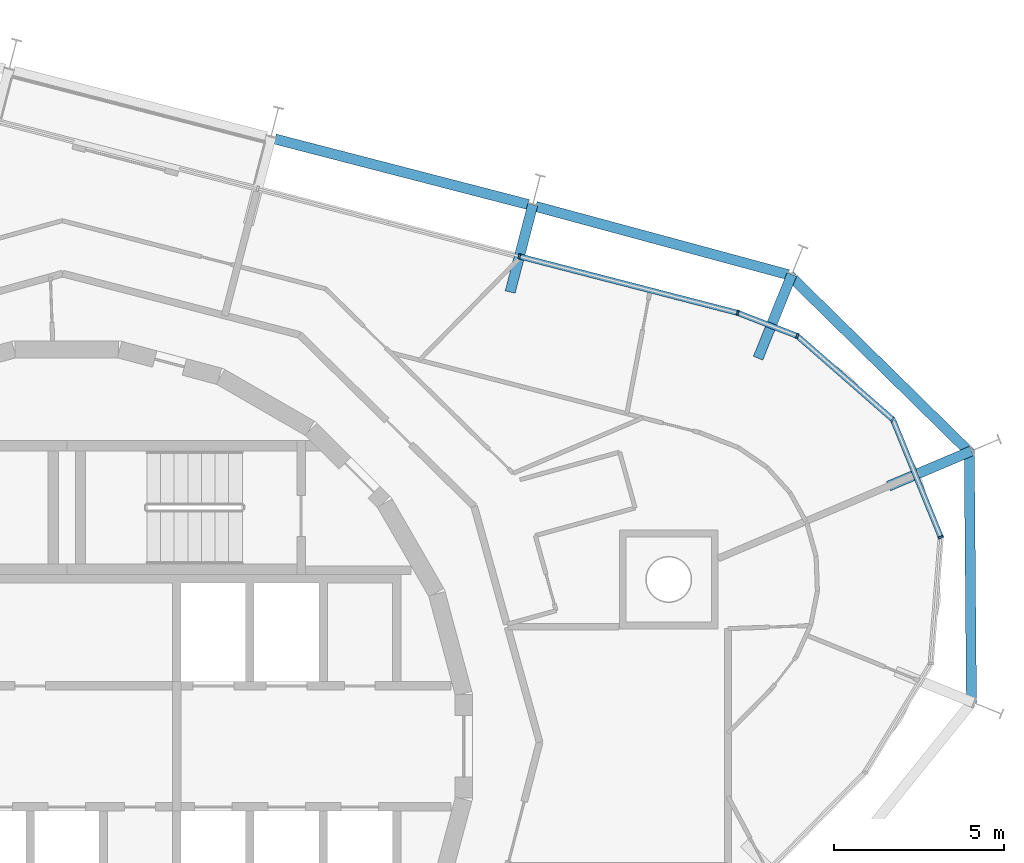
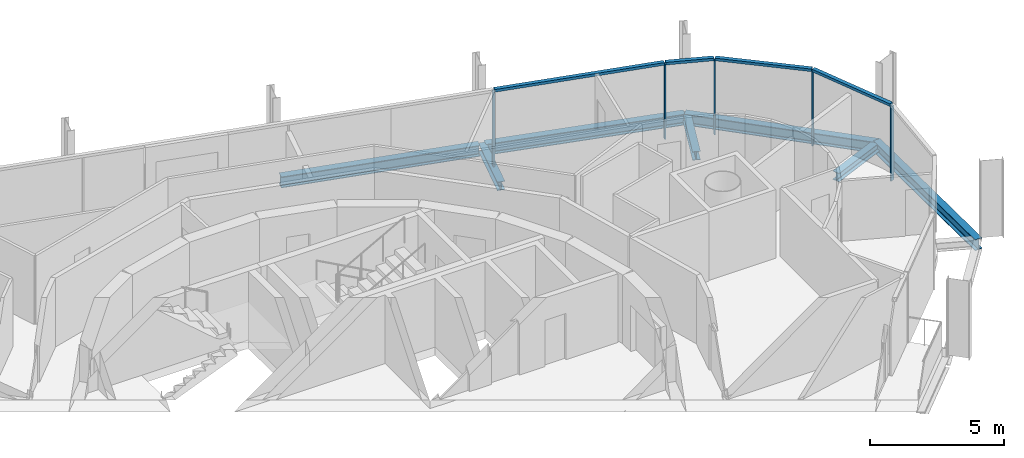
# One storey, part 7 of 15: 9 members, 7 beams, 2 elements without a shape of their own.
"""IFC4 building model written with IfcOpenShell, lengths in metres."""

from ifc_helpers import new_model, si_unit, direction, frame, origin, origin_2d, place, context, subcontext, project, spatial, rectangle, i_section, extrude, material, layer, layer_set, material_profile, profile_set, type_object, element, aggregate, save


model = new_model("IFC4")

# Units and contexts
model_context = context("Model", 3, precision=1e-05, world=origin(), true_north=direction((0.0, 1.0)))
body_context = subcontext(model_context, "Body", "Model", "MODEL_VIEW")
ifc_project = project(units=[si_unit("LENGTHUNIT", "METRE"), si_unit("AREAUNIT", "SQUARE_METRE"), si_unit("VOLUMEUNIT", "CUBIC_METRE"), si_unit("PLANEANGLEUNIT", "RADIAN"), si_unit("MASSUNIT", "GRAM", prefix="KILO")], contexts=[model_context])

# Site, building, storey
site_placement = place(None, origin())
site = spatial("IfcSite", under=ifc_project, at=site_placement, CompositionType="ELEMENT")
building_placement = place(site_placement, origin())
building = spatial("IfcBuilding", under=site, at=building_placement, Name="Spindle Arch Residences", CompositionType="ELEMENT")
storey_placement = place(building_placement, frame((0.0, 0.0, 319.199951171875)))
storey = spatial("IfcBuildingStorey", under=building, at=storey_placement, Name="L82", CompositionType="ELEMENT", Elevation=319.199951171875)

# Curtain wall, members
ifc_material_1 = material(Name="Aluminium bronze unitised frame with tinted glass", Category="aluminium")
ifc_layer_1 = layer(ifc_material_1, 0.159912109375)
ifc_layer_set_1 = layer_set([ifc_layer_1], Name="CW-D corner wall on the fillet arcs")
curtain_wall_type_1 = type_object("IfcCurtainWallType", Name="CW-D corner wall on the fillet arcs", PredefinedType="NOTDEFINED", material=ifc_layer_set_1)
curtain_wall_1_placement = place(storey_placement, origin())
curtain_wall_1 = element("IfcCurtainWall", 1, at=curtain_wall_1_placement, inside=storey, type_object=curtain_wall_type_1, Name="CW-D L82 run 1", PredefinedType="NOTDEFINED")
ifc_material_2 = material(Name="Aluminium bronze anodised mullion", Category="aluminium")
ifc_material_profile_1 = material_profile(ifc_material_2, rectangle(XDim=0.159912109375, YDim=0.06005859375, at=origin_2d()), Name="MU 60x160")
ifc_profile_set_1 = profile_set([ifc_material_profile_1], Name="Aluminium bronze anodised mullion")
member_type_1 = type_object("IfcMemberType", Name="Bronze mullion 60x160", PredefinedType="MULLION", material=ifc_profile_set_1)
member_1_placement = place(storey_placement, frame((25.646728515625, 6.13916015625, -0.3798828125), z_axis=(0.0, 0.0, 1.0), x_axis=(-0.926090247396, -0.377302072189, 0.0)))
member_1 = element("IfcMember", 2, at=member_1_placement, type_object=member_type_1, Name="CW-D mullion 03", PredefinedType="MULLION", context=body_context, shape_type="SweptSolid", body=[
    extrude(rectangle(XDim=0.159912109375, YDim=0.06005859375, at=origin_2d()), origin(), (0.0, 0.0, 1.0), 3.3798828125),
])
member_2_placement = place(storey_placement, frame((24.24072265625, 9.59033203125, -0.3798828125), z_axis=(0.0, 0.0, 1.0), x_axis=(-0.658251611308, -0.752797991635, 0.0)))
member_2 = element("IfcMember", 3, at=member_2_placement, type_object=member_type_1, Name="CW-D mullion 04", PredefinedType="MULLION", context=body_context, shape_type="SweptSolid", body=[
    extrude(rectangle(XDim=0.159912109375, YDim=0.06005859375, at=origin_2d()), origin(), (0.0, 0.0, 1.0), 3.3798828125),
])
member_3_placement = place(storey_placement, frame((21.435302734375, 12.04345703125, -0.3798828125), z_axis=(0.0, 0.0, 1.0), x_axis=(-0.361082099353, -0.932534030225, 0.0)))
member_3 = element("IfcMember", 4, at=member_3_placement, type_object=member_type_1, Name="CW-D mullion 05", PredefinedType="MULLION", context=body_context, shape_type="SweptSolid", body=[
    extrude(rectangle(XDim=0.159912109375, YDim=0.06005859375, at=origin_2d()), origin(), (0.0, 0.0, 1.0), 3.3798828125),
])
member_4_placement = place(storey_placement, frame((19.685791015625, 12.720947265625, -0.3798828125), z_axis=(0.0, 0.0, 1.0), x_axis=(-0.250380004054, -0.968147640378, 0.0)))
member_4 = element("IfcMember", 5, at=member_4_placement, type_object=member_type_1, Name="CW-D mullion 06", PredefinedType="MULLION", context=body_context, shape_type="SweptSolid", body=[
    extrude(rectangle(XDim=0.159912109375, YDim=0.06005859375, at=origin_2d()), origin(), (0.0, 0.0, 1.0), 3.3798828125),
])

# Curtain wall, member
ifc_material_3 = material(Name="Aluminium bronze unitised frame with tinted glass", Category="aluminium")
ifc_layer_2 = layer(ifc_material_3, 0.159912109375)
ifc_layer_set_2 = layer_set([ifc_layer_2], Name="CW-C typical residential unitised wall")
curtain_wall_type_2 = type_object("IfcCurtainWallType", Name="CW-C typical residential unitised wall", PredefinedType="NOTDEFINED", material=ifc_layer_set_2)
curtain_wall_2_placement = place(storey_placement, origin())
curtain_wall_2 = element("IfcCurtainWall", 6, at=curtain_wall_2_placement, inside=storey, type_object=curtain_wall_type_2, Name="CW-C L82 run 2", PredefinedType="NOTDEFINED")
member_5_placement = place(storey_placement, frame((13.280517578125, 14.37744140625, -0.3798828125), z_axis=(0.0, 0.0, 1.0), x_axis=(-0.250380004054, -0.968147640378, 0.0)))
member_5 = element("IfcMember", 7, at=member_5_placement, type_object=member_type_1, Name="CW-C mullion 05", PredefinedType="MULLION", context=body_context, shape_type="SweptSolid", body=[
    extrude(rectangle(XDim=0.159912109375, YDim=0.06005859375, at=origin_2d()), origin(), (0.0, 0.0, 1.0), 3.3798828125),
])
aggregate(curtain_wall_2, [member_5])

# Member
ifc_material_4 = material(Name="Aluminium bronze anodised transom", Category="aluminium")
ifc_material_profile_2 = material_profile(ifc_material_4, rectangle(XDim=0.159912109375, YDim=0.1201171875, at=origin_2d()), Name="TR 120x160")
ifc_profile_set_2 = profile_set([ifc_material_profile_2], Name="Aluminium bronze anodised transom")
member_type_2 = type_object("IfcMemberType", Name="Bronze transom 120x160", PredefinedType="USERDEFINED", material=ifc_profile_set_2)
member_6_placement = place(storey_placement, frame((25.635498046875, 6.166748046875, 3.06005859375), z_axis=(-0.377318036671, 0.926083743083, 0.0), x_axis=(-0.926083743083, -0.377318036671, 0.0)))
member_6 = element("IfcMember", 8, at=member_6_placement, type_object=member_type_2, Name="CW-D transom 03", ObjectType="TRANSOM", PredefinedType="USERDEFINED", context=body_context, shape_type="SweptSolid", body=[
    extrude(rectangle(XDim=0.159912109375, YDim=0.1201171875, at=origin_2d()), origin(), (0.0, 0.0, 1.0), 3.666748046875),
])

member_7_placement = place(storey_placement, frame((24.218017578125, 9.610107421875, 3.06005859375), z_axis=(-0.752799384177, 0.658250018749, 0.0), x_axis=(-0.658250018749, -0.752799384177, 0.0)))
member_7 = element("IfcMember", 9, at=member_7_placement, type_object=member_type_2, Name="CW-D transom 04", ObjectType="TRANSOM", PredefinedType="USERDEFINED", context=body_context, shape_type="SweptSolid", body=[
    extrude(rectangle(XDim=0.159912109375, YDim=0.1201171875, at=origin_2d()), origin(), (0.0, 0.0, 1.0), 3.666748046875),
])

member_8_placement = place(storey_placement, frame((21.4072265625, 12.054443359375, 3.06005859375), z_axis=(-0.932581237084, 0.360960158796, 0.0), x_axis=(-0.360960158796, -0.932581237084, 0.0)))
member_8 = element("IfcMember", 10, at=member_8_placement, type_object=member_type_2, Name="CW-D transom 05", ObjectType="TRANSOM", PredefinedType="USERDEFINED", context=body_context, shape_type="SweptSolid", body=[
    extrude(rectangle(XDim=0.159912109375, YDim=0.1201171875, at=origin_2d()), origin(), (0.0, 0.0, 1.0), 1.81591796875),
])

member_9_placement = place(storey_placement, frame((19.65673828125, 12.728515625, 3.06005859375), z_axis=(-0.968152514415, 0.250361156797, 0.0), x_axis=(-0.250361156797, -0.968152514415, 0.0)))
member_9 = element("IfcMember", 11, at=member_9_placement, type_object=member_type_2, Name="CW-D transom 06", ObjectType="TRANSOM", PredefinedType="USERDEFINED", context=body_context, shape_type="SweptSolid", body=[
    extrude(rectangle(XDim=0.159912109375, YDim=0.1201171875, at=origin_2d()), origin(), (0.0, 0.0, 1.0), 6.555908203125),
])

aggregate(curtain_wall_1, [member_1, member_6, member_2, member_7, member_3, member_8, member_4, member_9])

# Beams
ifc_material_5 = material(Name="Steel S460ML, intumescent coating R 120", Category="steel")
ifc_material_profile_3 = material_profile(ifc_material_5, i_section(OverallWidth=0.300048828125, OverallDepth=0.5, WebThickness=0.014404296875, FlangeThickness=0.028076171875, FilletRadius=0.027099609375, at=origin_2d()), Name="HEB 500")
ifc_profile_set_3 = profile_set([ifc_material_profile_3], Name="Steel S460ML, intumescent coating R 120")
beam_type_1 = type_object("IfcBeamType", Name="Exoskeleton edge beam HEB 500", PredefinedType="BEAM", material=ifc_profile_set_3)
for number, where, z_axis, x_axis, name in (
    (12, (26.54541015625, 1.238525390625, -0.6298828125), (-0.008657825592, 0.999962520326, 0.0), (-0.999962520326, -0.008657825592, 0.0), "Exoskeleton edge beam 3"),
    (13, (26.530517578125, 8.59375, -0.6298828125), (-0.713367950358, 0.700789674155, 0.0), (-0.700789674155, -0.713367950358, 0.0), "Exoskeleton edge beam 4"),
):
    element("IfcBeam", number, at=place(storey_placement, frame(where, z_axis=z_axis, x_axis=x_axis)), inside=storey, type_object=beam_type_1, Name=name, PredefinedType="BEAM", context=body_context, shape_type="SweptSolid", body=[
        extrude(i_section(OverallWidth=0.300048828125, OverallDepth=0.5, WebThickness=0.014404296875, FlangeThickness=0.028076171875, FilletRadius=0.027099609375, at=origin_2d()), origin(), (0.0, 0.0, 1.0), 7.47265625),
    ])
beam_1_placement = place(storey_placement, frame((21.16748046875, 13.842041015625, -0.6298828125), z_axis=(-0.965376606597, 0.260860130024, 0.0), x_axis=(-0.260860130024, -0.965376606597, 0.0)))
element("IfcBeam", 14, at=beam_1_placement, inside=storey, type_object=beam_type_1, Name="Exoskeleton edge beam 5", PredefinedType="BEAM", context=body_context, shape_type="SweptSolid", body=[
    extrude(i_section(OverallWidth=0.300048828125, OverallDepth=0.5, WebThickness=0.014404296875, FlangeThickness=0.028076171875, FilletRadius=0.027099609375, at=origin_2d()), origin(), (0.0, 0.0, 1.0), 7.671630859375),
])
beam_2_placement = place(storey_placement, frame((13.540283203125, 15.90087890625, -0.6298828125), z_axis=(-0.968149836341, 0.250371512743, 0.0), x_axis=(-0.250371512743, -0.968149836341, 0.0)))
element("IfcBeam", 15, at=beam_2_placement, inside=storey, type_object=beam_type_1, Name="Exoskeleton edge beam 6", PredefinedType="BEAM", context=body_context, shape_type="SweptSolid", body=[
    extrude(i_section(OverallWidth=0.300048828125, OverallDepth=0.5, WebThickness=0.014404296875, FlangeThickness=0.028076171875, FilletRadius=0.027099609375, at=origin_2d()), origin(), (0.0, 0.0, 1.0), 7.675048828125),
])
ifc_material_6 = material(Name="Steel S460ML, intumescent coating R 120", Category="steel")
ifc_material_profile_4 = material_profile(ifc_material_6, i_section(OverallWidth=0.300048828125, OverallDepth=0.389892578125, WebThickness=0.010986328125, FlangeThickness=0.01904296875, FilletRadius=0.027099609375, at=origin_2d()), Name="HEA 400")
ifc_profile_set_4 = profile_set([ifc_material_profile_4], Name="Steel S460ML, intumescent coating R 120")
beam_type_2 = type_object("IfcBeamType", Name="Floor outrigger HEA 400", PredefinedType="BEAM", material=ifc_profile_set_4)
for number, where, z_axis, x_axis, name in (
    (16, (26.54541015625, 8.669189453125, -0.574951171875), (-0.920502463847, -0.390736758, 0.0), (0.390736758, -0.920502463847, 0.0), "Floor outrigger 4"),
    (17, (21.27490234375, 13.8466796875, -0.574951171875), (-0.374327471234, -0.927296578382, 0.0), (0.927296578382, -0.374327471234, 0.0), "Floor outrigger 5"),
):
    element("IfcBeam", number, at=place(storey_placement, frame(where, z_axis=z_axis, x_axis=x_axis)), inside=storey, type_object=beam_type_2, Name=name, PredefinedType="BEAM", context=body_context, shape_type="SweptSolid", body=[
        extrude(i_section(OverallWidth=0.300048828125, OverallDepth=0.389892578125, WebThickness=0.010986328125, FlangeThickness=0.01904296875, FilletRadius=0.027099609375, at=origin_2d()), origin(), (0.0, 0.0, 1.0), 2.64990234375),
    ])
beam_3_placement = place(storey_placement, frame((13.673583984375, 15.8974609375, -0.574951171875), z_axis=(-0.250396221036, -0.968143446237, 0.0), x_axis=(0.968143446237, -0.250396221036, 0.0)))
element("IfcBeam", 18, at=beam_3_placement, inside=storey, type_object=beam_type_2, Name="Floor outrigger 6", PredefinedType="BEAM", context=body_context, shape_type="SweptSolid", body=[
    extrude(i_section(OverallWidth=0.300048828125, OverallDepth=0.389892578125, WebThickness=0.010986328125, FlangeThickness=0.01904296875, FilletRadius=0.027099609375, at=origin_2d()), origin(), (0.0, 0.0, 1.0), 2.650146484375),
])

save(model, "model.ifc")
